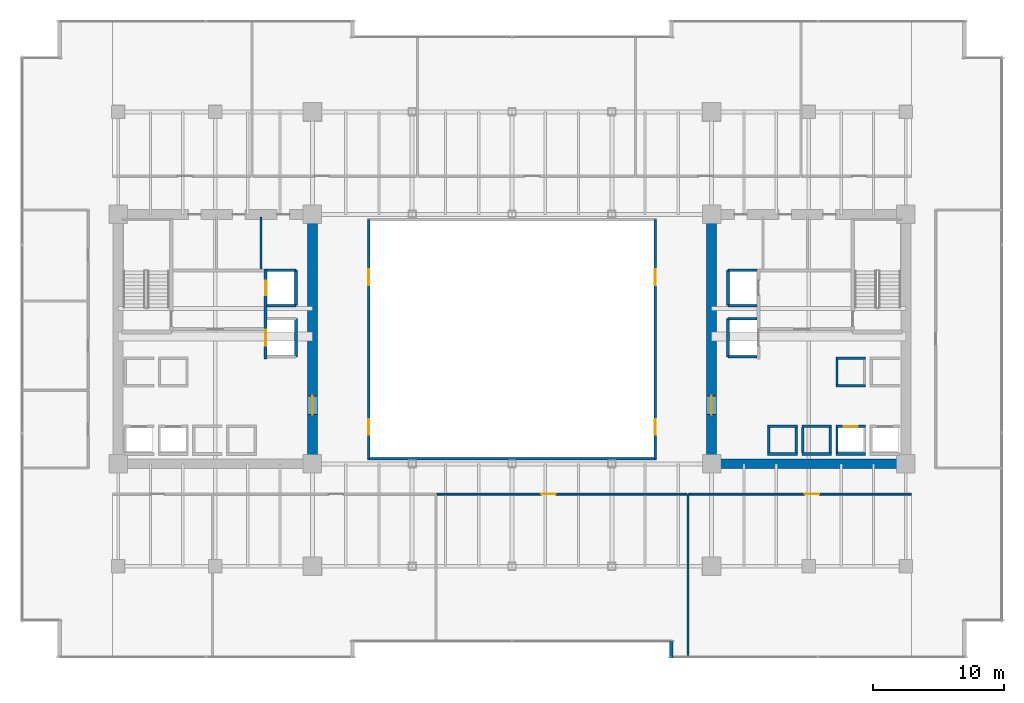
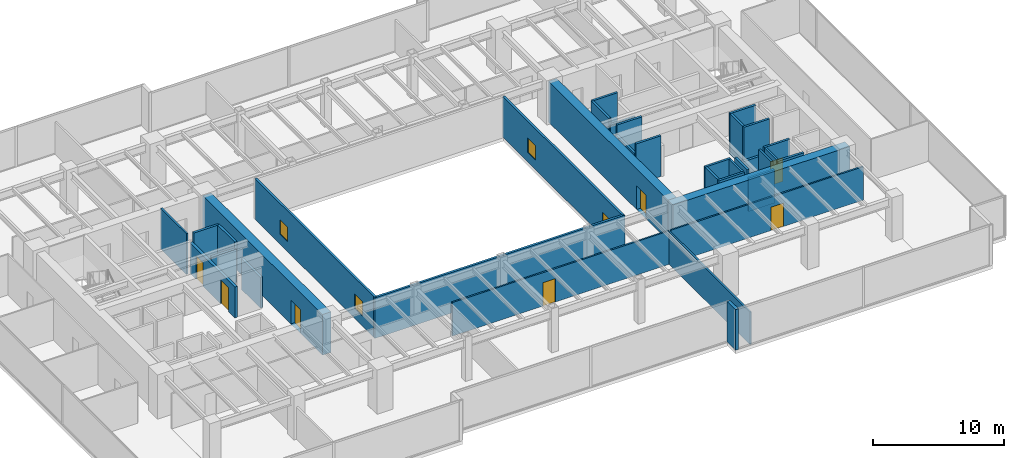
# One storey, part 30 of 37: 36 walls, 7 doors, 4 windows, 11 openings.
"""IFC4 building model written with IfcOpenShell, lengths in metres."""

from ifc_helpers import new_model, si_unit, direction, frame, frame_2d, origin, place, context, subcontext, project, spatial, rectangle, extrude, source, transform, mapped, material, layer, layer_set, type_object, type_shapes, element, fill, save


model = new_model("IFC4")

# Units and contexts
model_context = context("Model", 3, precision=1e-05, world=origin(), true_north=direction((0.0, 1.0)))
body_context = subcontext(model_context, "Body", "Model", "MODEL_VIEW")
ifc_project = project(units=[si_unit("LENGTHUNIT", "METRE"), si_unit("AREAUNIT", "SQUARE_METRE"), si_unit("VOLUMEUNIT", "CUBIC_METRE"), si_unit("PLANEANGLEUNIT", "RADIAN"), si_unit("MASSUNIT", "GRAM", prefix="KILO")], contexts=[model_context])

# Site, building, storey
site_placement = place(None, origin())
site = spatial("IfcSite", under=ifc_project, at=site_placement, CompositionType="ELEMENT")
building_placement = place(site_placement, origin())
building = spatial("IfcBuilding", under=site, at=building_placement, Name="Haelvirn Gate Laboratories", CompositionType="ELEMENT")
storey_placement = place(building_placement, frame((0.0, 0.0, 78.5)))
storey = spatial("IfcBuildingStorey", under=building, at=storey_placement, Name="L19", CompositionType="ELEMENT", Elevation=78.5)

# Walls
ifc_material_1 = material(Name="Thermally-broken bronze aluminium rainscreen & mineral wool", Category="aluminium")
ifc_layer_1 = layer(ifc_material_1, 0.280029296875, Name="EW-TERR-280")
ifc_layer_set_1 = layer_set([ifc_layer_1], Name="Thermally-broken bronze aluminium rainscreen & mineral wool")
wall_type_1 = type_object("IfcWallType", Name="EW-TERR-280", PredefinedType="STANDARD", material=ifc_layer_set_1)
wall_1_placement = place(storey_placement, frame((49.5400390625, 1.2880859375, 0.0), z_axis=(0.0, 0.0, 1.0), x_axis=(0.0, -1.0, 0.0)))
element("IfcWall", 1, at=wall_1_placement, inside=storey, type_object=wall_type_1, Name="L19 Atrium Recess Bronze Return Wall 03", PredefinedType="STANDARD", context=body_context, shape_type="SweptSolid", body=[
    extrude(rectangle(XDim=1.2880859375, YDim=0.280029296875, at=frame_2d((0.64404296875, 0.0))), origin(), (0.0, 0.0, 1.0), 3.780029296875),
])
ifc_material_2 = material(Name="Double-layer acoustic gypsum laboratory partition", Category="gypsum")
ifc_layer_2 = layer(ifc_material_2, 0.159912109375, Name="IW-ACOUST-160")
ifc_layer_set_2 = layer_set([ifc_layer_2], Name="Double-layer acoustic gypsum laboratory partition")
wall_type_2 = type_object("IfcWallType", Name="IW-ACOUST-160", PredefinedType="PARTITIONING", material=ifc_layer_set_2)
wall_2_placement = place(storey_placement, frame((50.800048828125, 0.110107421875, 0.0), z_axis=(0.0, 0.0, 1.0), x_axis=(0.0, 1.0, 0.0)))
element("IfcWall", 2, at=wall_2_placement, inside=storey, type_object=wall_type_2, Name="L19 Interior Wall IW-L19-SDIV-03", PredefinedType="PARTITIONING", context=body_context, shape_type="SweptSolid", body=[
    extrude(rectangle(XDim=12.3798828125, YDim=0.159912109375, at=frame_2d((6.18994140625, 0.0))), origin(), (0.0, 0.0, 1.0), 3.014892578125),
])

# Wall, openings, windows
ifc_material_3 = material(Name="Tempered fire-rated borosilicate glass & anodised aluminium", Category="aluminium")
ifc_layer_3 = layer(ifc_material_3, 0.195068359375, Name="IW-GLAZ-200")
ifc_layer_set_3 = layer_set([ifc_layer_3], Name="Tempered fire-rated borosilicate glass & anodised aluminium")
wall_type_3 = type_object("IfcWallType", Name="IW-GLAZ-200", PredefinedType="SOLIDWALL", material=ifc_layer_set_3)
wall_3_placement = place(storey_placement, frame((26.5, 15.199951171875, 0.0), z_axis=(0.0, 0.0, 1.0), x_axis=(0.0, 1.0, 0.0)))
wall_3 = element("IfcWall", 3, at=wall_3_placement, inside=storey, type_object=wall_type_3, Name="L19 Interior Wall IW-L19-ATRIUM-W", PredefinedType="SOLIDWALL", context=body_context, shape_type="SweptSolid", body=[
    extrude(rectangle(XDim=18.199951171875, YDim=0.195068359375, at=frame_2d((9.10009765625, 0.0))), origin(), (0.0, 0.0, 1.0), 3.780029296875),
])
opening_1_placement = place(wall_3_placement, frame((1.800048828125, 0.0, 0.89990234375)))
opening_1 = element("IfcOpeningElement", 4, at=opening_1_placement, cuts=wall_3, Name="Opening W6", PredefinedType="OPENING", context=body_context, shape_type="SweptSolid", body=[
    extrude(rectangle(XDim=1.199951171875, YDim=1.35009765625, at=frame_2d((0.60009765625, 0.675048828125))), frame((0.0, 0.107421875, 0.0), z_axis=(0.0, -1.0, 0.0), x_axis=(1.0, 0.0, 0.0)), (0.0, 0.0, 1.0), 0.215087890625),
])
opening_2_placement = place(wall_3_placement, frame((13.199951171875, 0.0, 0.89990234375)))
opening_2 = element("IfcOpeningElement", 5, at=opening_2_placement, cuts=wall_3, Name="Opening W6", PredefinedType="OPENING", context=body_context, shape_type="SweptSolid", body=[
    extrude(rectangle(XDim=1.199951171875, YDim=1.35009765625, at=frame_2d((0.60009765625, 0.675048828125))), frame((0.0, 0.107421875, 0.0), z_axis=(0.0, -1.0, 0.0), x_axis=(1.0, 0.0, 0.0)), (0.0, 0.0, 1.0), 0.215087890625),
])
ifc_material_4 = material(Name="Fire-rated EI 120 borosilicate atrium vision glazing", Category="glass")
window_type = type_object("IfcWindowType", Name="WN-ATR-1200", PartitioningType="SINGLE_PANEL", PredefinedType="WINDOW", material=ifc_material_4)
shared_shape_1 = source(origin(), body_context, "Body", "SweptSolid", [
    extrude(rectangle(XDim=1.199951171875, YDim=1.35009765625, at=frame_2d((0.60009765625, 0.675048828125))), frame((0.0, 0.030029296875, 0.0), z_axis=(0.0, -1.0, 0.0), x_axis=(1.0, 0.0, 0.0)), (0.0, 0.0, 1.0), 0.06005859375),
])
type_shapes(window_type, [shared_shape_1])
window_1_placement = place(opening_1_placement, origin())
window_1 = element("IfcWindow", 6, at=window_1_placement, inside=storey, type_object=window_type, Name="L19 Atrium Observation Window 1", OverallHeight=1.35009765625, OverallWidth=1.199951171875, PartitioningType="SINGLE_PANEL", PredefinedType="WINDOW", context=body_context, shape_type="MappedRepresentation", body=[
    mapped(shared_shape_1, transform((0.0, 0.0, 0.0), scale=1.0)),
])
fill(opening_1, window_1)
window_2_placement = place(opening_2_placement, origin())
window_2 = element("IfcWindow", 7, at=window_2_placement, inside=storey, type_object=window_type, Name="L19 Atrium Observation Window 2", OverallHeight=1.35009765625, OverallWidth=1.199951171875, PartitioningType="SINGLE_PANEL", PredefinedType="WINDOW", context=body_context, shape_type="MappedRepresentation", body=[
    mapped(shared_shape_1, transform((0.0, 0.0, 0.0), scale=1.0)),
])
fill(opening_2, window_2)

wall_4_placement = place(storey_placement, frame((48.300048828125, 15.199951171875, 0.0), z_axis=(0.0, 0.0, 1.0), x_axis=(0.0, 1.0, 0.0)))
wall_4 = element("IfcWall", 8, at=wall_4_placement, inside=storey, type_object=wall_type_3, Name="L19 Interior Wall IW-L19-ATRIUM-E", PredefinedType="SOLIDWALL", context=body_context, shape_type="SweptSolid", body=[
    extrude(rectangle(XDim=18.199951171875, YDim=0.195068359375, at=frame_2d((9.10009765625, 0.0))), origin(), (0.0, 0.0, 1.0), 3.780029296875),
])
opening_3_placement = place(wall_4_placement, frame((1.800048828125, 0.0, 0.89990234375)))
opening_3 = element("IfcOpeningElement", 9, at=opening_3_placement, cuts=wall_4, Name="Opening W6", PredefinedType="OPENING", context=body_context, shape_type="SweptSolid", body=[
    extrude(rectangle(XDim=1.199951171875, YDim=1.35009765625, at=frame_2d((0.60009765625, 0.675048828125))), frame((0.0, 0.107421875, 0.0), z_axis=(0.0, -1.0, 0.0), x_axis=(1.0, 0.0, 0.0)), (0.0, 0.0, 1.0), 0.215087890625),
])
opening_4_placement = place(wall_4_placement, frame((13.199951171875, 0.0, 0.89990234375)))
opening_4 = element("IfcOpeningElement", 10, at=opening_4_placement, cuts=wall_4, Name="Opening W6", PredefinedType="OPENING", context=body_context, shape_type="SweptSolid", body=[
    extrude(rectangle(XDim=1.199951171875, YDim=1.35009765625, at=frame_2d((0.60009765625, 0.675048828125))), frame((0.0, 0.107421875, 0.0), z_axis=(0.0, -1.0, 0.0), x_axis=(1.0, 0.0, 0.0)), (0.0, 0.0, 1.0), 0.215087890625),
])
window_3_placement = place(opening_3_placement, origin())
window_3 = element("IfcWindow", 11, at=window_3_placement, inside=storey, type_object=window_type, Name="L19 Atrium Observation Window 1", OverallHeight=1.35009765625, OverallWidth=1.199951171875, PartitioningType="SINGLE_PANEL", PredefinedType="WINDOW", context=body_context, shape_type="MappedRepresentation", body=[
    mapped(shared_shape_1, transform((0.0, 0.0, 0.0), scale=1.0)),
])
fill(opening_3, window_3)
window_4_placement = place(opening_4_placement, origin())
window_4 = element("IfcWindow", 12, at=window_4_placement, inside=storey, type_object=window_type, Name="L19 Atrium Observation Window 2", OverallHeight=1.35009765625, OverallWidth=1.199951171875, PartitioningType="SINGLE_PANEL", PredefinedType="WINDOW", context=body_context, shape_type="MappedRepresentation", body=[
    mapped(shared_shape_1, transform((0.0, 0.0, 0.0), scale=1.0)),
])
fill(opening_4, window_4)

# Wall
wall_5_placement = place(storey_placement, frame((26.39990234375, 15.199951171875, 0.0), z_axis=(0.0, 0.0, 1.0), x_axis=(1.0, 0.0, 0.0)))
element("IfcWall", 13, at=wall_5_placement, inside=storey, type_object=wall_type_3, Name="L19 Interior Wall IW-L19-ATRIUM-S", PredefinedType="SOLIDWALL", context=body_context, shape_type="SweptSolid", body=[
    extrude(rectangle(XDim=22.0, YDim=0.195068359375, at=frame_2d((11.0, 0.0))), origin(), (0.0, 0.0, 1.0), 3.780029296875),
])

# Wall, opening, door
ifc_material_5 = material(Name="Acoustic mineral-wool gypsum board partition", Category="gypsum")
ifc_layer_4 = layer(ifc_material_5, 0.139892578125, Name="IW-PART-140")
ifc_layer_set_4 = layer_set([ifc_layer_4], Name="Acoustic mineral-wool gypsum board partition")
wall_type_4 = type_object("IfcWallType", Name="IW-PART-140", PredefinedType="PARTITIONING", material=ifc_layer_set_4)
wall_6_placement = place(storey_placement, frame((31.679931640625, 12.489990234375, 0.0), z_axis=(0.0, 0.0, 1.0), x_axis=(1.0, 0.0, 0.0)))
wall_6 = element("IfcWall", 14, at=wall_6_placement, inside=storey, type_object=wall_type_4, Name="L19 Interior Wall IW-L19-SCORR-03", PredefinedType="PARTITIONING", context=body_context, shape_type="SweptSolid", body=[
    extrude(rectangle(XDim=19.0400390625, YDim=0.139892578125, at=frame_2d((9.52001953125, 0.0))), origin(), (0.0, 0.0, 1.0), 3.114990234375),
])
opening_5_placement = place(wall_6_placement, frame((7.935546875, 0.0, 0.0)))
opening_5 = element("IfcOpeningElement", 15, at=opening_5_placement, cuts=wall_6, Name="Opening D1", PredefinedType="OPENING", context=body_context, shape_type="SweptSolid", body=[
    extrude(rectangle(XDim=1.10009765625, YDim=2.179931640625, at=frame_2d((0.550048828125, 1.08984375))), frame((0.0, 0.080078125, 0.0), z_axis=(0.0, -1.0, 0.0), x_axis=(1.0, 0.0, 0.0)), (0.0, 0.0, 1.0), 0.159912109375),
])
ifc_material_6 = material(Name="Vision-panel acoustic solid-core timber lab door", Category="wood")
door_type_1 = type_object("IfcDoorType", Name="DR-LAB-1100", OperationType="NOTDEFINED", PredefinedType="DOOR", material=ifc_material_6)
shared_shape_2 = source(origin(), body_context, "Body", "SweptSolid", [
    extrude(rectangle(XDim=1.10009765625, YDim=2.179931640625, at=frame_2d((0.550048828125, 1.08984375))), frame((0.0, 0.02490234375, 0.0), z_axis=(0.0, -1.0, 0.0), x_axis=(1.0, 0.0, 0.0)), (0.0, 0.0, 1.0), 0.050048828125),
])
type_shapes(door_type_1, [shared_shape_2])
door_1_placement = place(opening_5_placement, origin())
door_1 = element("IfcDoor", 16, at=door_1_placement, inside=storey, type_object=door_type_1, Name="L19 Protocol Briefing Training Room Door S3", OperationType="SINGLE_SWING_RIGHT", OverallHeight=2.179931640625, OverallWidth=1.10009765625, PredefinedType="DOOR", context=body_context, shape_type="MappedRepresentation", body=[
    mapped(shared_shape_2, transform((0.0, 0.0, 0.0), scale=1.0)),
])
fill(opening_5, door_1)

wall_7_placement = place(storey_placement, frame((50.8798828125, 12.489990234375, 0.0), z_axis=(0.0, 0.0, 1.0), x_axis=(1.0, 0.0, 0.0)))
wall_7 = element("IfcWall", 17, at=wall_7_placement, inside=storey, type_object=wall_type_4, Name="L19 Interior Wall IW-L19-SCORR-04", PredefinedType="PARTITIONING", context=body_context, shape_type="SweptSolid", body=[
    extrude(rectangle(XDim=16.940185546875, YDim=0.139892578125, at=frame_2d((8.47021484375, 0.0))), origin(), (0.0, 0.0, 1.0), 3.114990234375),
])
opening_6_placement = place(wall_7_placement, frame((8.828369140625, 0.0, 0.0)))
opening_6 = element("IfcOpeningElement", 18, at=opening_6_placement, cuts=wall_7, Name="Opening D1", PredefinedType="OPENING", context=body_context, shape_type="SweptSolid", body=[
    extrude(rectangle(XDim=1.10009765625, YDim=2.179931640625, at=frame_2d((0.550048828125, 1.08984375))), frame((0.0, 0.080078125, 0.0), z_axis=(0.0, -1.0, 0.0), x_axis=(1.0, 0.0, 0.0)), (0.0, 0.0, 1.0), 0.159912109375),
])
door_2_placement = place(opening_6_placement, origin())
door_2 = element("IfcDoor", 19, at=door_2_placement, inside=storey, type_object=door_type_1, Name="L19 Peer-Review Seminar Room Door S4", OperationType="SINGLE_SWING_LEFT", OverallHeight=2.179931640625, OverallWidth=1.10009765625, PredefinedType="DOOR", context=body_context, shape_type="MappedRepresentation", body=[
    mapped(shared_shape_2, transform((0.0, 0.0, 0.0), scale=1.0)),
])
fill(opening_6, door_2)

# Walls
ifc_material_7 = material(Name="Cement-board restroom plumbing chase wall", Category="gypsum")
ifc_layer_5 = layer(ifc_material_7, 0.155029296875, Name="IW-PLUMB-160")
ifc_layer_set_5 = layer_set([ifc_layer_5], Name="Cement-board restroom plumbing chase wall")
wall_type_5 = type_object("IfcWallType", Name="IW-PLUMB-160", PredefinedType="PLUMBINGWALL", material=ifc_layer_set_5)
wall_8_placement = place(storey_placement, frame((18.2900390625, 29.64990234375, 0.0), z_axis=(0.0, 0.0, 1.0), x_axis=(0.0, 1.0, 0.0)))
element("IfcWall", 20, at=wall_8_placement, inside=storey, type_object=wall_type_5, Name="L19 Interior Wall IW-L19-W-CDIV-2", PredefinedType="PLUMBINGWALL", context=body_context, shape_type="SweptSolid", body=[
    extrude(rectangle(XDim=3.93017578125, YDim=0.155029296875, at=frame_2d((1.965087890625, 0.0))), origin(), (0.0, 0.0, 1.0), 3.780029296875),
])
ifc_material_8 = material(Name="Concrete C40/50", Category="concrete")
ifc_layer_6 = layer(ifc_material_8, 0.179931640625, Name="IW-SHAFT-180")
ifc_layer_set_6 = layer_set([ifc_layer_6], Name="Concrete C40/50")
wall_type_6 = type_object("IfcWallType", Name="IW-SHAFT-180", PredefinedType="SOLIDWALL", material=ifc_layer_set_6)
for number, where, z_axis, x_axis, name in (
    (21, (62.14990234375, 15.64990234375, 0.0), (0.0, 0.0, 1.0), (0.0, 1.0, 0.0), "L19 Interior Wall IW-L19-PL4-SD"),
    (22, (59.550048828125, 15.64990234375, 0.0), (0.0, 0.0, 1.0), (0.0, 1.0, 0.0), "L19 Interior Wall IW-L19-PL7-SD"),
    (23, (61.64990234375, 15.64990234375, 0.0), (0.0, 0.0, 1.0), (0.0, 1.0, 0.0), "L19 Interior Wall IW-L19-PL7-SDE"),
    (24, (56.949951171875, 15.64990234375, 0.0), (0.0, 0.0, 1.0), (0.0, 1.0, 0.0), "L19 Interior Wall IW-L19-PL8-SD"),
    (25, (59.050048828125, 15.64990234375, 0.0), (0.0, 0.0, 1.0), (0.0, 1.0, 0.0), "L19 Interior Wall IW-L19-PL8-SDE"),
):
    element("IfcWall", number, at=place(storey_placement, frame(where, z_axis=z_axis, x_axis=x_axis)), inside=storey, type_object=wall_type_6, Name=name, PredefinedType="SOLIDWALL", context=body_context, shape_type="SweptSolid", body=[
        extrude(rectangle(XDim=1.900146484375, YDim=0.179931640625, at=frame_2d((0.9501953125, 0.0))), origin(), (0.0, 0.0, 1.0), 3.780029296875),
    ])
wall_9_placement = place(storey_placement, frame((62.14990234375, 20.85009765625, 0.0), z_axis=(0.0, 0.0, 1.0), x_axis=(0.0, 1.0, 0.0)))
element("IfcWall", 26, at=wall_9_placement, inside=storey, type_object=wall_type_6, Name="L19 Interior Wall IW-L19-PL12-SD", PredefinedType="SOLIDWALL", context=body_context, shape_type="SweptSolid", body=[
    extrude(rectangle(XDim=1.89990234375, YDim=0.179931640625, at=frame_2d((0.949951171875, 0.0))), origin(), (0.0, 0.0, 1.0), 3.780029296875),
])
ifc_layer_7 = layer(ifc_material_8, 0.199951171875, Name="IW-SHAFT-200")
ifc_layer_set_7 = layer_set([ifc_layer_7], Name="Concrete C40/50")
wall_type_7 = type_object("IfcWallType", Name="IW-SHAFT-200", PredefinedType="SOLIDWALL", material=ifc_layer_set_7)
wall_10_placement = place(storey_placement, frame((20.949951171875, 26.85009765625, 0.0), z_axis=(0.0, 0.0, 1.0), x_axis=(0.0, 1.0, 0.0)))
element("IfcWall", 27, at=wall_10_placement, inside=storey, type_object=wall_type_7, Name="L19 Interior Wall IW-L19-FL1-BK", PredefinedType="SOLIDWALL", context=body_context, shape_type="SweptSolid", body=[
    extrude(rectangle(XDim=2.699951171875, YDim=0.199951171875, at=frame_2d((1.35009765625, 0.0))), origin(), (0.0, 0.0, 1.0), 3.780029296875),
])
wall_11_placement = place(storey_placement, frame((18.760009765625, 29.550048828125, 0.0), z_axis=(0.0, 0.0, 1.0), x_axis=(1.0, 0.0, 0.0)))
element("IfcWall", 28, at=wall_11_placement, inside=storey, type_object=wall_type_7, Name="L19 Interior Wall IW-L19-FL1-N", PredefinedType="SOLIDWALL", context=body_context, shape_type="SweptSolid", body=[
    extrude(rectangle(XDim=2.18994140625, YDim=0.199951171875, at=frame_2d((1.094970703125, 0.0))), origin(), (0.0, 0.0, 1.0), 3.780029296875),
])
wall_12_placement = place(storey_placement, frame((18.760009765625, 26.85009765625, 0.0), z_axis=(0.0, 0.0, 1.0), x_axis=(1.0, 0.0, 0.0)))
element("IfcWall", 29, at=wall_12_placement, inside=storey, type_object=wall_type_7, Name="L19 Interior Wall IW-L19-FL1-S", PredefinedType="SOLIDWALL", context=body_context, shape_type="SweptSolid", body=[
    extrude(rectangle(XDim=2.18994140625, YDim=0.199951171875, at=frame_2d((1.094970703125, 0.0))), origin(), (0.0, 0.0, 1.0), 3.177001953125),
])
wall_13_placement = place(storey_placement, frame((20.949951171875, 22.949951171875, 0.0), z_axis=(0.0, 0.0, 1.0), x_axis=(0.0, 1.0, 0.0)))
element("IfcWall", 30, at=wall_13_placement, inside=storey, type_object=wall_type_7, Name="L19 Interior Wall IW-L19-SL1-BK", PredefinedType="SOLIDWALL", context=body_context, shape_type="SweptSolid", body=[
    extrude(rectangle(XDim=2.900146484375, YDim=0.199951171875, at=frame_2d((1.4501953125, 0.0))), origin(), (0.0, 0.0, 1.0), 2.864990234375),
])

# Wall, opening, door
wall_14_placement = place(storey_placement, frame((62.070068359375, 17.64990234375, 0.0), z_axis=(0.0, 0.0, 1.0), x_axis=(1.0, 0.0, 0.0)))
wall_14 = element("IfcWall", 31, at=wall_14_placement, inside=storey, type_object=wall_type_7, Name="L19 Interior Wall IW-L19-PL4-FR", PredefinedType="SOLIDWALL", context=body_context, shape_type="SweptSolid", body=[
    extrude(rectangle(XDim=2.260009765625, YDim=0.199951171875, at=frame_2d((1.1298828125, 0.0))), origin(), (0.0, 0.0, 1.0), 3.780029296875),
])
opening_7_placement = place(wall_14_placement, frame((0.580078125, 0.0, 0.0)))
opening_7 = element("IfcOpeningElement", 32, at=opening_7_placement, cuts=wall_14, Name="Opening LD2", PredefinedType="OPENING", context=body_context, shape_type="SweptSolid", body=[
    extrude(rectangle(XDim=1.10009765625, YDim=2.219970703125, at=frame_2d((0.550048828125, 1.10986328125))), frame((0.0, 0.10986328125, 0.0), z_axis=(0.0, -1.0, 0.0), x_axis=(1.0, 0.0, 0.0)), (0.0, 0.0, 1.0), 0.219970703125),
])
ifc_material_9 = material(Name="Bronze stainless 316L sliding lift landing door")
door_type_2 = type_object("IfcDoorType", Name="DR-LD-1100", OperationType="NOTDEFINED", PredefinedType="USERDEFINED", material=ifc_material_9)
shared_shape_3 = source(origin(), body_context, "Body", "SweptSolid", [
    extrude(rectangle(XDim=1.10009765625, YDim=2.219970703125, at=frame_2d((0.550048828125, 1.10986328125))), frame((0.0, 0.02490234375, 0.0), z_axis=(0.0, -1.0, 0.0), x_axis=(1.0, 0.0, 0.0)), (0.0, 0.0, 1.0), 0.050048828125),
])
type_shapes(door_type_2, [shared_shape_3])
door_3_placement = place(opening_7_placement, origin())
door_3 = element("IfcDoor", 33, at=door_3_placement, inside=storey, type_object=door_type_2, Name="L19 Passenger Lift PL4 Landing Door", ObjectType="LANDING_DOOR", OperationType="SLIDING_TO_RIGHT", OverallHeight=2.219970703125, OverallWidth=1.10009765625, PredefinedType="USERDEFINED", context=body_context, shape_type="MappedRepresentation", body=[
    mapped(shared_shape_3, transform((0.0, 0.0, 0.0), scale=1.0)),
])
fill(opening_7, door_3)

# Walls
wall_15_placement = place(storey_placement, frame((62.070068359375, 15.550048828125, 0.0), z_axis=(0.0, 0.0, 1.0), x_axis=(1.0, 0.0, 0.0)))
element("IfcWall", 34, at=wall_15_placement, inside=storey, type_object=wall_type_7, Name="L19 Interior Wall IW-L19-PL4-BK", PredefinedType="SOLIDWALL", context=body_context, shape_type="SweptSolid", body=[
    extrude(rectangle(XDim=2.260009765625, YDim=0.199951171875, at=frame_2d((1.1298828125, 0.0))), origin(), (0.0, 0.0, 1.0), 3.780029296875),
])
for number, where, z_axis, x_axis, name in (
    (35, (59.469970703125, 17.64990234375, 0.0), (0.0, 0.0, 1.0), (1.0, 0.0, 0.0), "L19 Interior Wall IW-L19-PL7-FR"),
    (36, (59.469970703125, 15.550048828125, 0.0), (0.0, 0.0, 1.0), (1.0, 0.0, 0.0), "L19 Interior Wall IW-L19-PL7-BK"),
):
    element("IfcWall", number, at=place(storey_placement, frame(where, z_axis=z_axis, x_axis=x_axis)), inside=storey, type_object=wall_type_7, Name=name, PredefinedType="SOLIDWALL", context=body_context, shape_type="SweptSolid", body=[
        extrude(rectangle(XDim=2.260009765625, YDim=0.199951171875, at=frame_2d((1.1298828125, 0.0))), origin(), (0.0, 0.0, 1.0), 3.114990234375),
    ])
for number, where, z_axis, x_axis, name in (
    (37, (56.8701171875, 17.64990234375, 0.0), (0.0, 0.0, 1.0), (1.0, 0.0, 0.0), "L19 Interior Wall IW-L19-PL8-FR"),
    (38, (56.8701171875, 15.550048828125, 0.0), (0.0, 0.0, 1.0), (1.0, 0.0, 0.0), "L19 Interior Wall IW-L19-PL8-BK"),
):
    element("IfcWall", number, at=place(storey_placement, frame(where, z_axis=z_axis, x_axis=x_axis)), inside=storey, type_object=wall_type_7, Name=name, PredefinedType="SOLIDWALL", context=body_context, shape_type="SweptSolid", body=[
        extrude(rectangle(XDim=2.259765625, YDim=0.199951171875, at=frame_2d((1.1298828125, 0.0))), origin(), (0.0, 0.0, 1.0), 3.780029296875),
    ])
for number, where, z_axis, x_axis, name in (
    (39, (62.070068359375, 20.75, 0.0), (0.0, 0.0, 1.0), (1.0, 0.0, 0.0), "L19 Interior Wall IW-L19-PL12-FR"),
    (40, (62.070068359375, 22.85009765625, 0.0), (0.0, 0.0, 1.0), (1.0, 0.0, 0.0), "L19 Interior Wall IW-L19-PL12-BK"),
):
    element("IfcWall", number, at=place(storey_placement, frame(where, z_axis=z_axis, x_axis=x_axis)), inside=storey, type_object=wall_type_7, Name=name, PredefinedType="SOLIDWALL", context=body_context, shape_type="SweptSolid", body=[
        extrude(rectangle(XDim=2.260009765625, YDim=0.199951171875, at=frame_2d((1.1298828125, 0.0))), origin(), (0.0, 0.0, 1.0), 3.780029296875),
    ])
wall_16_placement = place(storey_placement, frame((53.85009765625, 26.85009765625, 0.0), z_axis=(0.0, 0.0, 1.0), x_axis=(0.0, 1.0, 0.0)))
element("IfcWall", 41, at=wall_16_placement, inside=storey, type_object=wall_type_7, Name="L19 Interior Wall IW-L19-FL2-BK", PredefinedType="SOLIDWALL", context=body_context, shape_type="SweptSolid", body=[
    extrude(rectangle(XDim=2.699951171875, YDim=0.199951171875, at=frame_2d((1.35009765625, 0.0))), origin(), (0.0, 0.0, 1.0), 3.780029296875),
])
wall_17_placement = place(storey_placement, frame((53.85009765625, 29.550048828125, 0.0), z_axis=(0.0, 0.0, 1.0), x_axis=(1.0, 0.0, 0.0)))
element("IfcWall", 42, at=wall_17_placement, inside=storey, type_object=wall_type_7, Name="L19 Interior Wall IW-L19-FL2-N", PredefinedType="SOLIDWALL", context=body_context, shape_type="SweptSolid", body=[
    extrude(rectangle(XDim=2.18994140625, YDim=0.199951171875, at=frame_2d((1.094970703125, 0.0))), origin(), (0.0, 0.0, 1.0), 3.780029296875),
])
wall_18_placement = place(storey_placement, frame((53.85009765625, 26.85009765625, 0.0), z_axis=(0.0, 0.0, 1.0), x_axis=(1.0, 0.0, 0.0)))
element("IfcWall", 43, at=wall_18_placement, inside=storey, type_object=wall_type_7, Name="L19 Interior Wall IW-L19-FL2-S", PredefinedType="SOLIDWALL", context=body_context, shape_type="SweptSolid", body=[
    extrude(rectangle(XDim=2.18994140625, YDim=0.199951171875, at=frame_2d((1.094970703125, 0.0))), origin(), (0.0, 0.0, 1.0), 3.177001953125),
])
wall_19_placement = place(storey_placement, frame((53.85009765625, 22.949951171875, 0.0), z_axis=(0.0, 0.0, 1.0), x_axis=(0.0, 1.0, 0.0)))
element("IfcWall", 44, at=wall_19_placement, inside=storey, type_object=wall_type_7, Name="L19 Interior Wall IW-L19-SL2-BK", PredefinedType="SOLIDWALL", context=body_context, shape_type="SweptSolid", body=[
    extrude(rectangle(XDim=2.900146484375, YDim=0.199951171875, at=frame_2d((1.4501953125, 0.0))), origin(), (0.0, 0.0, 1.0), 2.864990234375),
])
for number, where, z_axis, x_axis, name in (
    (45, (53.85009765625, 25.85009765625, 0.0), (0.0, 0.0, 1.0), (1.0, 0.0, 0.0), "L19 Interior Wall IW-L19-SL2-N"),
    (46, (53.85009765625, 22.949951171875, 0.0), (0.0, 0.0, 1.0), (1.0, 0.0, 0.0), "L19 Interior Wall IW-L19-SL2-S"),
):
    element("IfcWall", number, at=place(storey_placement, frame(where, z_axis=z_axis, x_axis=x_axis)), inside=storey, type_object=wall_type_7, Name=name, PredefinedType="SOLIDWALL", context=body_context, shape_type="SweptSolid", body=[
        extrude(rectangle(XDim=2.18994140625, YDim=0.199951171875, at=frame_2d((1.094970703125, 0.0))), origin(), (0.0, 0.0, 1.0), 3.780029296875),
    ])

# Wall, openings, doors
ifc_layer_8 = layer(ifc_material_8, 0.239990234375, Name="IW-SHAFT-240")
ifc_layer_set_8 = layer_set([ifc_layer_8], Name="Concrete C40/50")
wall_type_8 = type_object("IfcWallType", Name="IW-SHAFT-240", PredefinedType="SOLIDWALL", material=ifc_layer_set_8)
wall_20_placement = place(storey_placement, frame((18.639892578125, 22.800048828125, 0.0), z_axis=(0.0, 0.0, 1.0), x_axis=(0.0, 1.0, 0.0)))
wall_20 = element("IfcWall", 47, at=wall_20_placement, inside=storey, type_object=wall_type_8, Name="L19 Interior Wall IW-L19-W-FF-E", PredefinedType="SOLIDWALL", context=body_context, shape_type="SweptSolid", body=[
    extrude(rectangle(XDim=6.849853515625, YDim=0.239990234375, at=frame_2d((3.4248046875, 0.0))), origin(), (0.0, 0.0, 1.0), 2.864990234375),
])
opening_8_placement = place(wall_20_placement, frame((4.85009765625, 0.0, 0.0)))
opening_8 = element("IfcOpeningElement", 48, at=opening_8_placement, cuts=wall_20, Name="Opening LD2", PredefinedType="OPENING", context=body_context, shape_type="SweptSolid", body=[
    extrude(rectangle(XDim=1.10009765625, YDim=2.219970703125, at=frame_2d((0.550048828125, 1.10986328125))), frame((0.0, 0.1298828125, 0.0), z_axis=(0.0, -1.0, 0.0), x_axis=(1.0, 0.0, 0.0)), (0.0, 0.0, 1.0), 0.260009765625),
])
opening_9_placement = place(wall_20_placement, frame((1.0, 0.0, 0.0)))
opening_9 = element("IfcOpeningElement", 49, at=opening_9_placement, cuts=wall_20, Name="Opening LD1", PredefinedType="OPENING", context=body_context, shape_type="SweptSolid", body=[
    extrude(rectangle(XDim=1.199951171875, YDim=2.219970703125, at=frame_2d((0.60009765625, 1.10986328125))), frame((0.0, 0.1298828125, 0.0), z_axis=(0.0, -1.0, 0.0), x_axis=(1.0, 0.0, 0.0)), (0.0, 0.0, 1.0), 0.260009765625),
])
door_4_placement = place(opening_8_placement, origin())
door_4 = element("IfcDoor", 50, at=door_4_placement, inside=storey, type_object=door_type_2, Name="L19 Firefighting Lift FL1 Landing Door", ObjectType="LANDING_DOOR", OperationType="SLIDING_TO_LEFT", OverallHeight=2.219970703125, OverallWidth=1.10009765625, PredefinedType="USERDEFINED", context=body_context, shape_type="MappedRepresentation", body=[
    mapped(shared_shape_3, transform((0.0, 0.0, 0.0), scale=1.0)),
])
fill(opening_8, door_4)
ifc_material_10 = material(Name="Stainless steel 316L sliding goods landing door", Category="steel")
door_type_3 = type_object("IfcDoorType", Name="DR-LD-1200", OperationType="NOTDEFINED", PredefinedType="USERDEFINED", material=ifc_material_10)
shared_shape_4 = source(origin(), body_context, "Body", "SweptSolid", [
    extrude(rectangle(XDim=1.199951171875, YDim=2.219970703125, at=frame_2d((0.60009765625, 1.10986328125))), frame((0.0, 0.02490234375, 0.0), z_axis=(0.0, -1.0, 0.0), x_axis=(1.0, 0.0, 0.0)), (0.0, 0.0, 1.0), 0.050048828125),
])
type_shapes(door_type_3, [shared_shape_4])
door_5_placement = place(opening_9_placement, origin())
door_5 = element("IfcDoor", 51, at=door_5_placement, inside=storey, type_object=door_type_3, Name="L19 Service Lift SL1 Landing Door", ObjectType="LANDING_DOOR", OperationType="SLIDING_TO_RIGHT", OverallHeight=2.219970703125, OverallWidth=1.199951171875, PredefinedType="USERDEFINED", context=body_context, shape_type="MappedRepresentation", body=[
    mapped(shared_shape_4, transform((0.0, 0.0, 0.0), scale=1.0)),
])
fill(opening_9, door_5)

# Wall, opening, door
ifc_material_11 = material(Name="Concrete C70/85", Category="concrete")
ifc_layer_9 = layer(ifc_material_11, 0.75, Name="SW-CORE-750")
ifc_layer_set_9 = layer_set([ifc_layer_9], Name="Concrete C70/85")
wall_type_9 = type_object("IfcWallType", Name="SW-CORE-750", PredefinedType="SHEAR", material=ifc_layer_set_9)
wall_21_placement = place(storey_placement, frame((22.199951171875, 15.175048828125, 0.0), z_axis=(0.0, 0.0, 1.0), x_axis=(0.0, 1.0, 0.0)))
wall_21 = element("IfcWall", 52, at=wall_21_placement, inside=storey, type_object=wall_type_9, Name="L19 W Core Shear Wall E", PredefinedType="SHEAR", context=body_context, shape_type="SweptSolid", body=[
    extrude(rectangle(XDim=18.25, YDim=0.75, at=frame_2d((9.125, 0.0))), origin(), (0.0, 0.0, 1.0), 3.780029296875),
])
opening_10_placement = place(wall_21_placement, frame((3.375, 0.0, 0.0)))
opening_10 = element("IfcOpeningElement", 53, at=opening_10_placement, cuts=wall_21, Name="Opening FD1", PredefinedType="OPENING", context=body_context, shape_type="SweptSolid", body=[
    extrude(rectangle(XDim=1.419921875, YDim=2.199951171875, at=frame_2d((0.7099609375, 1.10009765625))), frame((0.0, 0.385009765625, 0.0), z_axis=(0.0, -1.0, 0.0), x_axis=(1.0, 0.0, 0.0)), (0.0, 0.0, 1.0), 0.77001953125),
])
ifc_material_12 = material(Name="Fire-rated double steel SM355 lobby door", Category="steel")
door_type_4 = type_object("IfcDoorType", Name="DR-FD-1400", OperationType="NOTDEFINED", PredefinedType="DOOR", material=ifc_material_12)
shared_shape_5 = source(origin(), body_context, "Body", "SweptSolid", [
    extrude(rectangle(XDim=1.419921875, YDim=2.199951171875, at=frame_2d((0.7099609375, 1.10009765625))), frame((0.0, 0.02490234375, 0.0), z_axis=(0.0, -1.0, 0.0), x_axis=(1.0, 0.0, 0.0)), (0.0, 0.0, 1.0), 0.050048828125),
])
type_shapes(door_type_4, [shared_shape_5])
door_6_placement = place(opening_10_placement, origin())
door_6 = element("IfcDoor", 54, at=door_6_placement, inside=storey, type_object=door_type_4, Name="L19 West Core Lift Lobby Fire Door", OperationType="DOUBLE_DOOR_SINGLE_SWING", OverallHeight=2.199951171875, OverallWidth=1.419921875, PredefinedType="DOOR", context=body_context, shape_type="MappedRepresentation", body=[
    mapped(shared_shape_5, transform((0.0, 0.0, 0.0), scale=1.0)),
])
fill(opening_10, door_6)

# Wall
wall_22_placement = place(storey_placement, frame((52.22509765625, 14.800048828125, 0.0), z_axis=(0.0, 0.0, 1.0), x_axis=(1.0, 0.0, 0.0)))
element("IfcWall", 55, at=wall_22_placement, inside=storey, type_object=wall_type_9, Name="L19 E Core Shear Wall S", PredefinedType="SHEAR", context=body_context, shape_type="SweptSolid", body=[
    extrude(rectangle(XDim=15.5498046875, YDim=0.75, at=frame_2d((7.77490234375, 0.0))), origin(), (0.0, 0.0, 1.0), 3.780029296875),
])

# Wall, opening, door
wall_23_placement = place(storey_placement, frame((52.60009765625, 15.175048828125, 0.0), z_axis=(0.0, 0.0, 1.0), x_axis=(0.0, 1.0, 0.0)))
wall_23 = element("IfcWall", 56, at=wall_23_placement, inside=storey, type_object=wall_type_9, Name="L19 E Core Shear Wall W", PredefinedType="SHEAR", context=body_context, shape_type="SweptSolid", body=[
    extrude(rectangle(XDim=18.25, YDim=0.75, at=frame_2d((9.125, 0.0))), origin(), (0.0, 0.0, 1.0), 3.780029296875),
])
opening_11_placement = place(wall_23_placement, frame((3.375, 0.0, 0.0)))
opening_11 = element("IfcOpeningElement", 57, at=opening_11_placement, cuts=wall_23, Name="Opening FD1", PredefinedType="OPENING", context=body_context, shape_type="SweptSolid", body=[
    extrude(rectangle(XDim=1.419921875, YDim=2.199951171875, at=frame_2d((0.7099609375, 1.10009765625))), frame((0.0, 0.385009765625, 0.0), z_axis=(0.0, -1.0, 0.0), x_axis=(1.0, 0.0, 0.0)), (0.0, 0.0, 1.0), 0.77001953125),
])
door_7_placement = place(opening_11_placement, origin())
door_7 = element("IfcDoor", 58, at=door_7_placement, inside=storey, type_object=door_type_4, Name="L19 East Core Lift Lobby Fire Door", OperationType="DOUBLE_DOOR_SINGLE_SWING", OverallHeight=2.199951171875, OverallWidth=1.419921875, PredefinedType="DOOR", context=body_context, shape_type="MappedRepresentation", body=[
    mapped(shared_shape_5, transform((0.0, 0.0, 0.0), scale=1.0)),
])
fill(opening_11, door_7)

save(model, "model.ifc")
